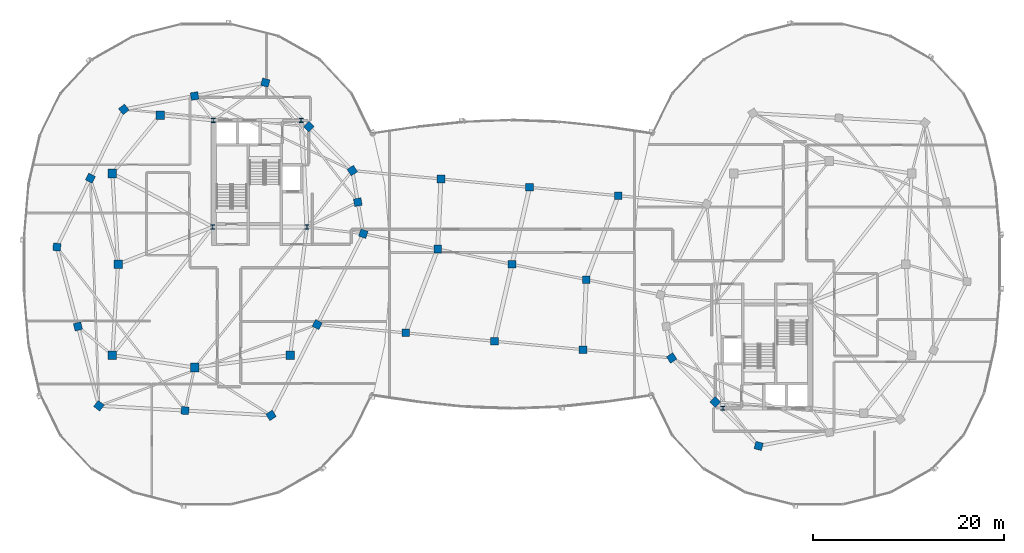
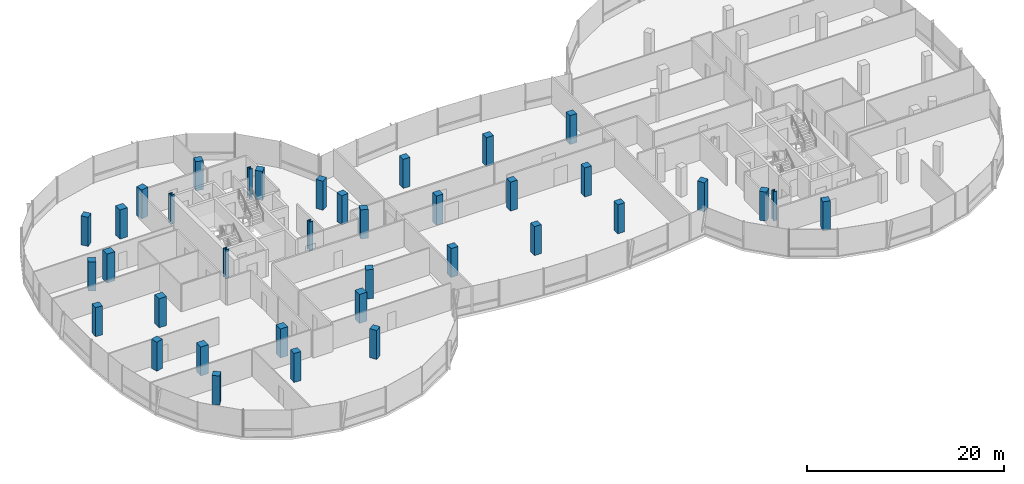
# One storey, part 1 of 25: 37 columns.
"""IFC4 building model written with IfcOpenShell, lengths in metres."""

from ifc_helpers import new_model, si_unit, direction, frame, origin, origin_2d, place, context, subcontext, project, spatial, rectangle, i_section, extrude, material, material_profile, profile_set, type_object, element, save


model = new_model("IFC4")

# Units and contexts
model_context = context("Model", 3, precision=1e-05, world=origin(), true_north=direction((0.0, 1.0)))
body_context = subcontext(model_context, "Body", "Model", "MODEL_VIEW")
ifc_project = project(units=[si_unit("LENGTHUNIT", "METRE"), si_unit("AREAUNIT", "SQUARE_METRE"), si_unit("VOLUMEUNIT", "CUBIC_METRE"), si_unit("PLANEANGLEUNIT", "RADIAN"), si_unit("MASSUNIT", "GRAM", prefix="KILO"), si_unit("THERMODYNAMICTEMPERATUREUNIT", "KELVIN"), si_unit("POWERUNIT", "WATT")], contexts=[model_context])

# Site, building, storey
site_placement = place(None, origin())
site = spatial("IfcSite", under=ifc_project, at=site_placement, CompositionType="ELEMENT")
building_placement = place(site_placement, origin())
building = spatial("IfcBuilding", under=site, at=building_placement, Name="Cundina Bronze Exchange", CompositionType="ELEMENT")
storey_placement = place(building_placement, frame((0.0, 0.0, 246.800048828125)))
storey = spatial("IfcBuildingStorey", under=building, at=storey_placement, Name="L65", CompositionType="ELEMENT", Elevation=246.800048828125)

# Columns
ifc_material_1 = material(Name="Concrete C50/60", Category="concrete")
ifc_material_profile_1 = material_profile(ifc_material_1, rectangle(XDim=0.800048828125, YDim=0.800048828125, at=origin_2d()), Name="RC800X800", Category="concrete")
ifc_profile_set_1 = profile_set([ifc_material_profile_1], Name="Concrete C50/60")
column_type_1 = type_object("IfcColumnType", Name="COL-BRG-800", PredefinedType="COLUMN", material=ifc_profile_set_1)
for number, where, z_axis, x_axis, name in (
    (1, (-15.550048828125, 3.199951171875, 0.0), (0.0, 0.0, 1.0), (0.315152163383, 0.949041155016, 0.0), "L65 W Perimeter Column 00"),
    (2, (-16.125, 6.5, 0.0), (0.0, 0.0, 1.0), (-0.171585221787, 0.985169280715, 0.0), "L65 W Perimeter Column 01"),
    (3, (-16.699951171875, 9.800048828125, 0.0), (0.0, 0.0, 1.0), (-0.544199833495, 0.838955625301, 0.0), "L65 W Perimeter Column 02"),
    (4, (-21.25, 14.39990234375, 0.0), (0.0, 0.0, 1.0), (-0.703270634186, 0.710922228581, 0.0), "L65 W Perimeter Column 03"),
    (5, (-25.800048828125, 19.0, 0.0), (0.0, 0.0, 1.0), (-0.965970984022, 0.258650455301, 0.0), "L65 W Perimeter Column 04"),
    (6, (-33.199951171875, 17.60009765625, 0.0), (0.0, 0.0, 1.0), (-0.98258037664, -0.185838110843, 0.0), "L65 W Perimeter Column 05"),
    (7, (-40.60009765625, 16.199951171875, 0.0), (0.0, 0.0, 1.0), (-0.785100778485, -0.619368038909, 0.0), "L65 W Perimeter Column 06"),
    (8, (-44.10009765625, 9.0, 0.0), (0.0, 0.0, 1.0), (-0.437115766651, -0.899405251566, 0.0), "L65 W Perimeter Column 07"),
    (9, (-47.60009765625, 1.800048828125, 0.0), (0.0, 0.0, 1.0), (-0.083503921245, -0.996507448611, 0.0), "L65 W Perimeter Column 08"),
    (10, (-45.39990234375, -6.5, 0.0), (0.0, 0.0, 1.0), (0.256289373133, -0.966600102017, 0.0), "L65 W Perimeter Column 09"),
    (11, (-43.199951171875, -14.800048828125, 0.0), (0.0, 0.0, 1.0), (0.786288432137, -0.61785961309, 0.0), "L65 W Perimeter Column 10"),
    (12, (-34.199951171875, -15.300048828125, 0.0), (0.0, 0.0, 1.0), (0.998460188734, -0.055472980025, 0.0), "L65 W Perimeter Column 11"),
    (13, (-25.199951171875, -15.800048828125, 0.0), (0.0, 0.0, 1.0), (0.838099763533, 0.545516989988, 0.0), "L65 W Perimeter Column 12"),
    (14, (-20.375, -6.300048828125, 0.0), (0.0, 0.0, 1.0), (0.452901591366, 0.891560513111, 0.0), "L65 W Perimeter Column 13"),
    (15, (16.699951171875, -9.800048828125, 0.0), (0.0, 0.0, 1.0), (0.544199833495, -0.838955625301, 0.0), "L65 E Perimeter Column 02"),
    (16, (21.25, -14.39990234375, 0.0), (0.0, 0.0, 1.0), (0.703270634186, -0.710922228581, 0.0), "L65 E Perimeter Column 03"),
    (17, (25.800048828125, -19.0, 0.0), (0.0, 0.0, 1.0), (0.965970984022, -0.258650455301, 0.0), "L65 E Perimeter Column 04"),
    (18, (-11.106201171875, -7.175048828125, 0.0), (0.0, 0.0, 1.0), (1.0, 0.0, 0.0), "L65 Sky-Gate Bridge Column Y1-X1"),
    (19, (-1.83740234375, -8.050048828125, 0.0), (0.0, 0.0, 1.0), (1.0, 0.0, 0.0), "L65 Sky-Gate Bridge Column Y1-X2"),
    (20, (7.431396484375, -8.925048828125, 0.0), (0.0, 0.0, 1.0), (1.0, 0.0, 0.0), "L65 Sky-Gate Bridge Column Y1-X3"),
    (21, (-7.77490234375, 1.60009765625, 0.0), (0.0, 0.0, 1.0), (1.0, 0.0, 0.0), "L65 Sky-Gate Bridge Column Y2-X1"),
    (22, (0.0, 0.0, 0.0), (0.0, 0.0, 1.0), (1.0, 0.0, 0.0), "L65 Sky-Gate Bridge Column Y2-X2"),
    (23, (7.77490234375, -1.60009765625, 0.0), (0.0, 0.0, 1.0), (1.0, 0.0, 0.0), "L65 Sky-Gate Bridge Column Y2-X3"),
    (24, (-7.43115234375, 8.925048828125, 0.0), (0.0, 0.0, 1.0), (1.0, 0.0, 0.0), "L65 Sky-Gate Bridge Column Y3-X1"),
    (25, (1.83740234375, 8.050048828125, 0.0), (0.0, 0.0, 1.0), (1.0, 0.0, 0.0), "L65 Sky-Gate Bridge Column Y3-X2"),
    (26, (11.106201171875, 7.175048828125, 0.0), (0.0, 0.0, 1.0), (1.0, 0.0, 0.0), "L65 Sky-Gate Bridge Column Y3-X3"),
):
    element("IfcColumn", number, at=place(storey_placement, frame(where, z_axis=z_axis, x_axis=x_axis)), inside=storey, type_object=column_type_1, Name=name, PredefinedType="COLUMN", context=body_context, shape_type="SweptSolid", body=[
        extrude(rectangle(XDim=0.800048828125, YDim=0.800048828125, at=origin_2d()), origin(), (0.0, 0.0, 1.0), 3.599853515625),
    ])
ifc_material_2 = material(Name="Steel ASTM A992 Grade 50", Category="steel")
ifc_material_profile_2 = material_profile(ifc_material_2, i_section(OverallWidth=0.416015625, OverallDepth=0.446044921875, WebThickness=0.0390625, FlangeThickness=0.062744140625, FilletRadius=0.01806640625, at=origin_2d()), Name="W14X342", Category="steel")
ifc_profile_set_2 = profile_set([ifc_material_profile_2], Name="Steel ASTM A992 Grade 50")
column_type_2 = type_object("IfcColumnType", Name="COL-STL-W14B", PredefinedType="COLUMN", material=ifc_profile_set_2)
for number, where, z_axis, x_axis, name in (
    (27, (-31.300048828125, 3.89990234375, 0.0), (0.0, 0.0, 1.0), (1.0, 0.0, 0.0), "L65 Core Anchor Column W1"),
    (28, (-21.449951171875, 3.89990234375, 0.0), (0.0, 0.0, 1.0), (1.0, 0.0, 0.0), "L65 Core Anchor Column W2"),
    (29, (-22.050048828125, 15.050048828125, 0.0), (0.0, 0.0, 1.0), (1.0, 0.0, 0.0), "L65 Core Anchor Column W3"),
    (30, (-31.25, 15.050048828125, 0.0), (0.0, 0.0, 1.0), (1.0, 0.0, 0.0), "L65 Core Anchor Column W4"),
    (31, (22.050048828125, -15.050048828125, 0.0), (0.0, 0.0, 1.0), (1.0, 0.0, 0.0), "L65 Core Anchor Column E3"),
):
    element("IfcColumn", number, at=place(storey_placement, frame(where, z_axis=z_axis, x_axis=x_axis)), inside=storey, type_object=column_type_2, Name=name, PredefinedType="COLUMN", context=body_context, shape_type="SweptSolid", body=[
        extrude(i_section(OverallWidth=0.416015625, OverallDepth=0.446044921875, WebThickness=0.0390625, FlangeThickness=0.062744140625, FilletRadius=0.01806640625, at=origin_2d()), origin(), (0.0, 0.0, 1.0), 3.599853515625),
    ])
ifc_material_profile_3 = material_profile(ifc_material_1, rectangle(XDim=0.89990234375, YDim=0.89990234375, at=origin_2d()), Name="RC900X900", Category="concrete")
ifc_profile_set_3 = profile_set([ifc_material_profile_3], Name="Concrete C50/60")
column_type_3 = type_object("IfcColumnType", Name="COL-Z4-900", PredefinedType="COLUMN", material=ifc_profile_set_3)
for number, where, z_axis, x_axis, name in (
    (32, (-41.199951171875, 0.0, 0.0), (0.0, 0.0, 1.0), (1.0, 0.0, 0.0), "L65 W Inner Ring Column 1"),
    (33, (-41.800048828125, 9.5, 0.0), (0.0, 0.0, 1.0), (1.0, 0.0, 0.0), "L65 W Inner Ring Column 2"),
    (34, (-36.800048828125, 15.60009765625, 0.0), (0.0, 0.0, 1.0), (1.0, 0.0, 0.0), "L65 W Inner Ring Column 3"),
    (35, (-41.800048828125, -9.5, 0.0), (0.0, 0.0, 1.0), (1.0, 0.0, 0.0), "L65 W Inner Ring Column 4"),
    (36, (-33.199951171875, -10.800048828125, 0.0), (0.0, 0.0, 1.0), (1.0, 0.0, 0.0), "L65 W Inner Ring Column 5"),
    (37, (-23.199951171875, -9.5, 0.0), (0.0, 0.0, 1.0), (1.0, 0.0, 0.0), "L65 W Inner Ring Column 6"),
):
    element("IfcColumn", number, at=place(storey_placement, frame(where, z_axis=z_axis, x_axis=x_axis)), inside=storey, type_object=column_type_3, Name=name, PredefinedType="COLUMN", context=body_context, shape_type="SweptSolid", body=[
        extrude(rectangle(XDim=0.89990234375, YDim=0.89990234375, at=origin_2d()), origin(), (0.0, 0.0, 1.0), 3.599853515625),
    ])

save(model, "model.ifc")
